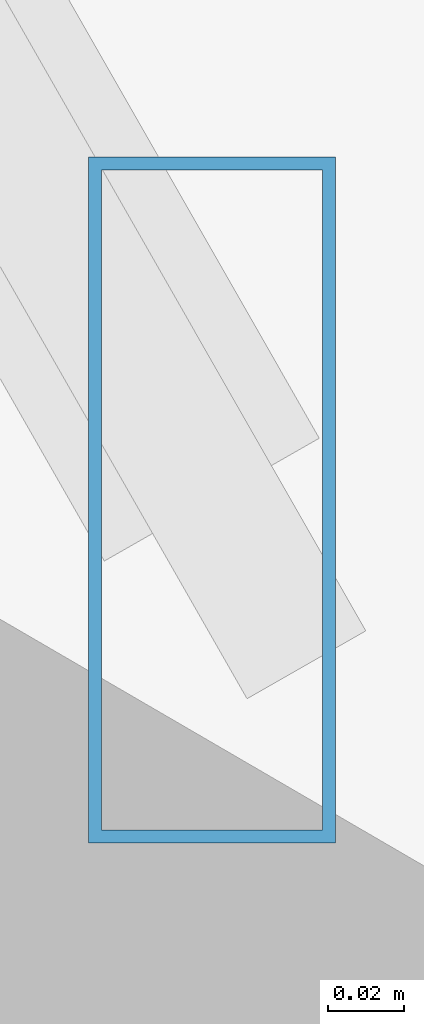
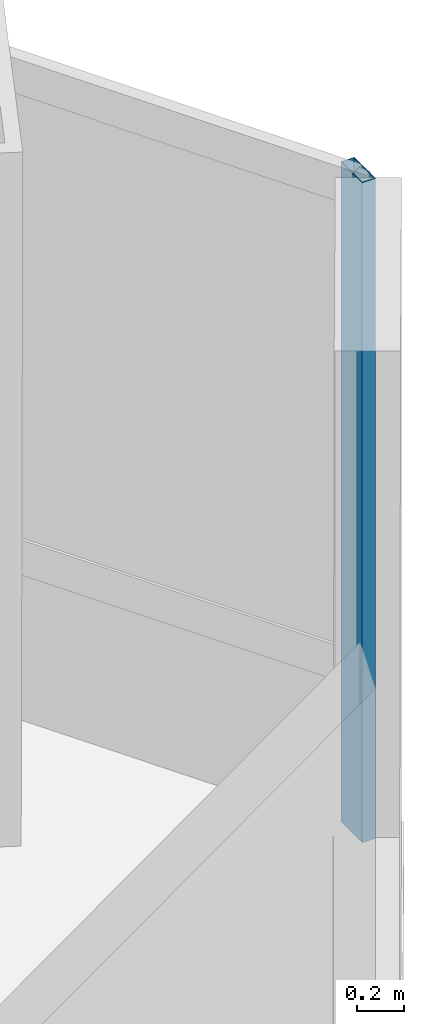
# One storey, part 19 of 35: 1 member, 1 element without a shape of its own.
"""IFC4 building model written with IfcOpenShell, lengths in metres."""

from ifc_helpers import new_model, si_unit, direction, frame, origin, origin_2d, place, context, subcontext, project, spatial, hollow_rectangle, extrude, source, transform, mapped, material, material_profile, profile_set, type_object, type_shapes, element, aggregate, save


model = new_model("IFC4")

# Units and contexts
model_context = context("Model", 3, precision=1e-05, world=origin(), true_north=direction((0.0, 1.0)))
body_context = subcontext(model_context, "Body", "Model", "MODEL_VIEW")
ifc_project = project(units=[si_unit("LENGTHUNIT", "METRE"), si_unit("AREAUNIT", "SQUARE_METRE"), si_unit("VOLUMEUNIT", "CUBIC_METRE"), si_unit("PLANEANGLEUNIT", "RADIAN"), si_unit("MASSUNIT", "GRAM", prefix="KILO")], contexts=[model_context])

# Site, building, storey
site_placement = place(None, origin())
site = spatial("IfcSite", under=ifc_project, at=site_placement, CompositionType="ELEMENT")
building_placement = place(site_placement, origin())
building = spatial("IfcBuilding", under=site, at=building_placement, Name="Caelisora Broadcast Tower", CompositionType="ELEMENT")
storey_placement = place(building_placement, frame((0.0, 0.0, 53.14990234375)))
storey = spatial("IfcBuildingStorey", under=building, at=storey_placement, Name="L13", CompositionType="ELEMENT", Elevation=53.14990234375)

# Curtain wall, member
ifc_material_1 = material(Name="Unitised Aluminium and Low-E Glass Curtain Wall", Category="glass")
curtain_wall_type = type_object("IfcCurtainWallType", Name="CW-Z1", PredefinedType="NOTDEFINED", material=ifc_material_1)
curtain_wall_placement = place(storey_placement, origin())
curtain_wall = element("IfcCurtainWall", 1, at=curtain_wall_placement, inside=storey, type_object=curtain_wall_type, Name="L13 curtain wall CW-Z1", PredefinedType="NOTDEFINED")
ifc_material_2 = material(Name="Aluminium 6063-T6 Anodised Terracotta Bronze", Category="aluminium")
ifc_material_profile = material_profile(ifc_material_2, hollow_rectangle(XDim=0.06494140625, YDim=0.179931640625, WallThickness=0.00341796875, at=origin_2d()), Name="Aluminium 6063-T6 Anodised Terracotta Bronze")
ifc_profile_set = profile_set([ifc_material_profile], Name="Aluminium 6063-T6 Anodised Terracotta Bronze")
member_type = type_object("IfcMemberType", Name="CWM-02", PredefinedType="MULLION", material=ifc_profile_set)
shared_shape = source(origin(), body_context, "Body", "SweptSolid", [
    extrude(hollow_rectangle(XDim=0.06494140625, YDim=0.179931640625, WallThickness=0.00341796875, at=origin_2d()), origin(), (0.0, 0.0, 1.0), 3.400146484375),
])
type_shapes(member_type, [shared_shape])
member_placement = place(storey_placement, frame((63.26025390625, 18.933349609375, 0.0), z_axis=(0.0, 0.0, 1.0), x_axis=(1.0, 0.0, 0.0)))
member = element("IfcMember", 2, at=member_placement, type_object=member_type, Name="L13-CW-B03 mullion #3", PredefinedType="MULLION", context=body_context, shape_type="MappedRepresentation", body=[
    mapped(shared_shape, transform((0.0, 0.0, 0.0), scale=1.0)),
])
aggregate(curtain_wall, [member])

save(model, "model.ifc")
